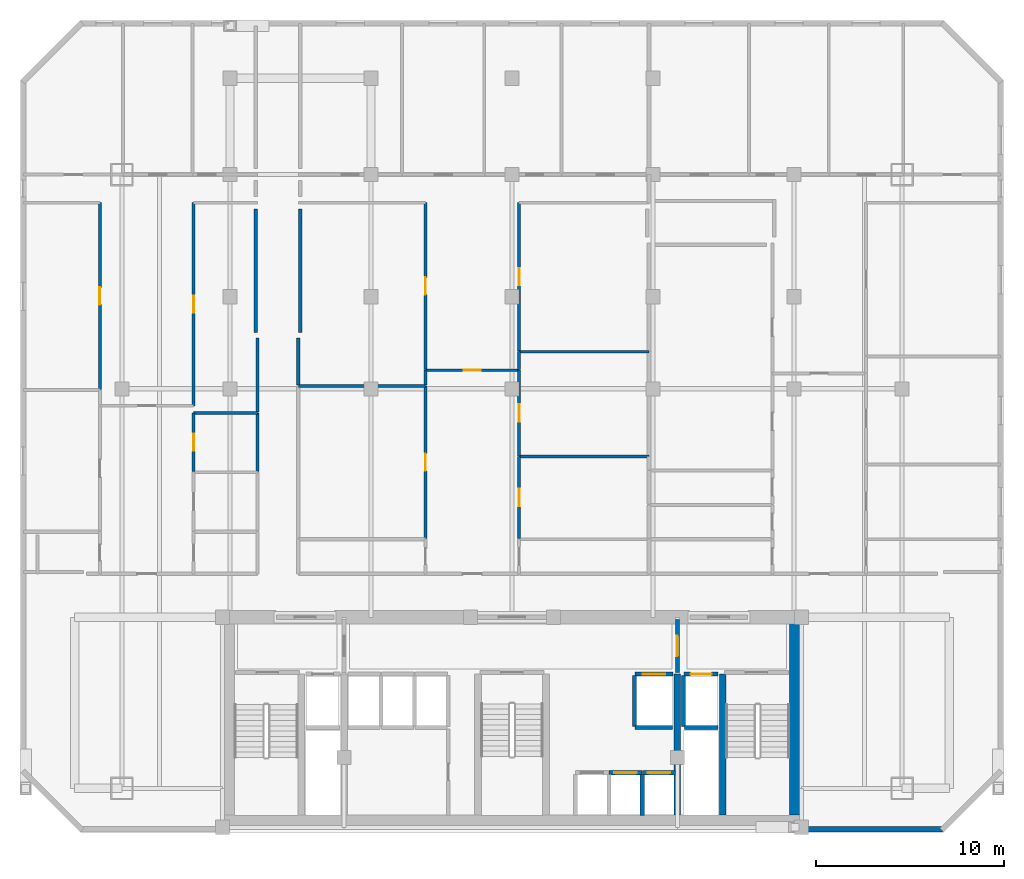
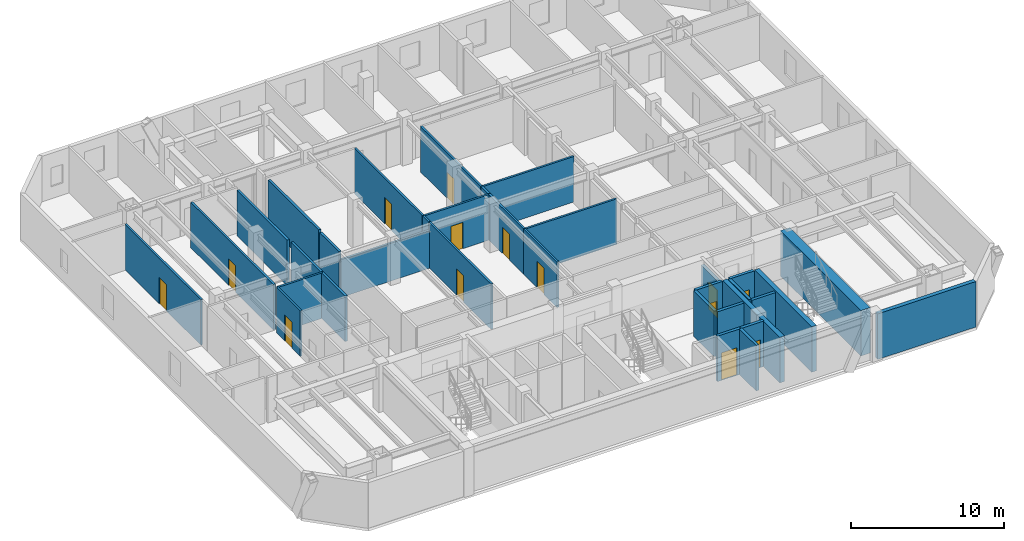
# One storey, part 4 of 9: 34 walls, 14 doors, 14 openings.
"""IFC4 building model written with IfcOpenShell, lengths in metres."""

import ifcopenshell
import ifcopenshell.guid

model = None  # the IFC model being written
_history = None  # IfcOwnerHistory: only IFC2X3 demands one
_inside = {}  # id of a spatial element -> (the spatial element, [elements in it])
_under = {}  # id of a project, library or spatial element -> (it, [spatial elements below it])
_declared = {}  # id of a project -> (the project, [libraries it declares])
_typed = {}  # id of a type object -> (the type object, [elements of that type])
_made_of = {}  # id of a material, layer set ... -> (it, [elements and type objects made of it])


def new_model(schema):
    """Start an empty IFC model of exactly this schema.

    Asked for "IFC4X3", IfcOpenShell would pick the latest addendum, in which some entities
    have other attributes; the version numbers below select the first issue.
    IFC2X3 requires an IfcOwnerHistory on every rooted entity: one is made here for all.
    """
    global model, _history
    if schema == "IFC4X3":
        model = ifcopenshell.file(schema_version=(4, 3, 0, 0))
    else:
        model = ifcopenshell.file(schema=schema)
    _inside.clear()
    _under.clear()
    _declared.clear()
    _typed.clear()
    _made_of.clear()
    _history = None
    if model.schema == "IFC2X3":
        org = make("IfcOrganization", Name="unknown")
        user = make(
            "IfcPersonAndOrganization",
            ThePerson=make("IfcPerson", FamilyName="unknown"),
            TheOrganization=org,
        )
        app = make(
            "IfcApplication",
            ApplicationDeveloper=org,
            Version="unknown",
            ApplicationFullName="unknown",
            ApplicationIdentifier="unknown",
        )
        _history = make(
            "IfcOwnerHistory",
            OwningUser=user,
            OwningApplication=app,
            ChangeAction="ADDED",
            CreationDate=0,
        )
    return model


def make(cls, **values):
    """One entity of the class cls with the attributes given. An attribute that is None is left unset."""
    return model.create_entity(
        cls, **{name: value for name, value in values.items() if value is not None}
    )


def rooted(cls, **values):
    """An entity with a GlobalId (a new one), such as an element, a storey or a relation."""
    return make(cls, GlobalId=ifcopenshell.guid.new(), OwnerHistory=_history, **values)


def si_unit(unit_type, name, prefix=None):
    """IfcSIUnit, for example si_unit("LENGTHUNIT", "METRE", prefix="MILLI")."""
    return make("IfcSIUnit", UnitType=unit_type, Prefix=prefix, Name=name)


def assignment(units):
    """IfcUnitAssignment: the units of a project."""
    return None if units is None else make("IfcUnitAssignment", Units=units)


def point(xyz):
    """IfcCartesianPoint."""
    return None if xyz is None else make("IfcCartesianPoint", Coordinates=xyz)


def direction(xyz):
    """IfcDirection."""
    return None if xyz is None else make("IfcDirection", DirectionRatios=xyz)


def frame(location, z_axis=None, x_axis=None):
    """IfcAxis2Placement3D, a coordinate frame: its origin and axes. An axis left out is left unset."""
    return make(
        "IfcAxis2Placement3D",
        Location=point(location),
        Axis=direction(z_axis),
        RefDirection=direction(x_axis),
    )


def frame_2d(location, x_axis=None):
    """IfcAxis2Placement2D, a coordinate frame in the plane: its origin and x axis."""
    return make(
        "IfcAxis2Placement2D", Location=point(location), RefDirection=direction(x_axis)
    )


def origin():
    """The frame at (0, 0, 0) with its axes left unset."""
    return frame((0.0, 0.0, 0.0))


def place(relative_to, where):
    """IfcLocalPlacement: puts the frame where relative to a parent placement (None: the world)."""
    return make(
        "IfcLocalPlacement", PlacementRelTo=relative_to, RelativePlacement=where
    )


def context(
    kind, dimensions, precision=None, world=None, true_north=None, identifier=None
):
    """IfcGeometricRepresentationContext, for example the 3D "Model" context."""
    return make(
        "IfcGeometricRepresentationContext",
        ContextIdentifier=identifier,
        ContextType=kind,
        CoordinateSpaceDimension=dimensions,
        Precision=precision,
        WorldCoordinateSystem=world,
        TrueNorth=true_north,
    )


def subcontext(parent, identifier, kind, view, scale=None):
    """IfcGeometricRepresentationSubContext, for example "Body" below "Model"."""
    return make(
        "IfcGeometricRepresentationSubContext",
        ContextIdentifier=identifier,
        ContextType=kind,
        ParentContext=parent,
        TargetScale=scale,
        TargetView=view,
    )


def project(units=None, contexts=None):
    """IfcProject with its units and contexts."""
    return rooted(
        "IfcProject",
        Name="project",
        RepresentationContexts=contexts,
        UnitsInContext=assignment(units),
    )


def spatial(cls, under=None, at=None, **own):
    """A site, building, storey or space (cls), placed at a placement, below another one or the project."""
    s = rooted(cls, ObjectPlacement=at, **own)
    if under is not None:
        _under.setdefault(under.id(), (under, []))[1].append(s)
    return s


def profile(cls, at=None, kind="AREA", **sizes):
    """A parametric profile (cls). Its sizes go by their IFC names, for example OverallWidth=200.0."""
    return make(cls, ProfileType=kind, Position=at, **sizes)


def rectangle(**sizes):
    """IfcRectangleProfileDef."""
    return profile("IfcRectangleProfileDef", **sizes)


def extrude(swept, where, along, depth):
    """IfcExtrudedAreaSolid: the profile swept, set in the frame where, extruded along a direction by depth."""
    return make(
        "IfcExtrudedAreaSolid",
        SweptArea=swept,
        Position=where,
        ExtrudedDirection=direction(along),
        Depth=depth,
    )


def shape(context_of_items, identifier, shape_type, items):
    """IfcShapeRepresentation: the items that make up one representation, for example the "Body"."""
    return make(
        "IfcShapeRepresentation",
        ContextOfItems=context_of_items,
        RepresentationIdentifier=identifier,
        RepresentationType=shape_type,
        Items=items,
    )


def material(Name=None, Category=None):
    """IfcMaterial."""
    return make("IfcMaterial", Name=Name, Category=Category)


def layer(
    of_material, thickness, ventilated=None, Name=None, Category=None, Priority=None
):
    """IfcMaterialLayer: one layer of a wall or slab, of a material (None: an air gap)."""
    return make(
        "IfcMaterialLayer",
        Material=of_material,
        LayerThickness=thickness,
        IsVentilated=ventilated,
        Name=Name,
        Category=Category,
        Priority=Priority,
    )


def layer_set(layers, Name=None):
    """IfcMaterialLayerSet."""
    return make("IfcMaterialLayerSet", MaterialLayers=layers, LayerSetName=Name)


def made_of(thing, what):
    """Note that an element or type object is made of a material, layer set ...; save() writes the relation."""
    if what is not None:
        _made_of.setdefault(what.id(), (what, []))[1].append(thing)
    return thing


def type_object(cls, material=None, **own):
    """A type object (cls), such as IfcWallType, which elements share."""
    return made_of(rooted(cls, **own), material)


def element(
    cls,
    number,
    at=None,
    inside=None,
    cuts=None,
    type_object=None,
    material=None,
    context=None,
    identifier="Body",
    shape_type=None,
    held_by="IfcProductDefinitionShape",
    body=None,
    shapes=None,
    **own,
):
    """One element of the class cls, such as IfcWall. Its Tag is "e" and its number.

    at: its placement. inside: the storey or other place that contains it. cuts: it is an
    opening in that element (IfcRelVoidsElement). A single representation is given by context,
    identifier, shape_type and body (its items); several are given by shapes. held_by: the class
    of the entity that holds the representations. save() writes the other relations.
    """
    e = rooted(cls, Tag="e%d" % number, ObjectPlacement=at, **own)
    if body is not None:
        shapes = [shape(context, identifier, shape_type, body)]
    if shapes is not None:
        e.Representation = make(held_by, Representations=shapes)
    if inside is not None:
        _inside.setdefault(inside.id(), (inside, []))[1].append(e)
    if cuts is not None:
        rooted(
            "IfcRelVoidsElement", RelatingBuildingElement=cuts, RelatedOpeningElement=e
        )
    if type_object is not None:
        _typed.setdefault(type_object.id(), (type_object, []))[1].append(e)
    return made_of(e, material)


def fill(opening, filler):
    """IfcRelFillsElement: the door or window that sits in an opening."""
    return rooted(
        "IfcRelFillsElement",
        RelatingOpeningElement=opening,
        RelatedBuildingElement=filler,
    )


def aggregate(whole, parts):
    """IfcRelAggregates: a whole, such as a stair, and the parts it consists of."""
    return rooted("IfcRelAggregates", RelatingObject=whole, RelatedObjects=parts)


def save(model, path):
    """Write the relations noted so far, then the file.

    IfcRelAggregates (storeys below a building ...), IfcRelContainedInSpatialStructure (elements
    in a storey), IfcRelDefinesByType, IfcRelAssociatesMaterial and IfcRelDeclares: one each for
    every whole, place, type object, material and project.
    """
    for whole, parts in _under.values():
        aggregate(whole, parts)
    for where, things in _inside.values():
        rooted(
            "IfcRelContainedInSpatialStructure",
            RelatedElements=things,
            RelatingStructure=where,
        )
    for kind, things in _typed.values():
        rooted("IfcRelDefinesByType", RelatedObjects=things, RelatingType=kind)
    for what, things in _made_of.values():
        rooted("IfcRelAssociatesMaterial", RelatedObjects=things, RelatingMaterial=what)
    for by, libraries in _declared.values():
        rooted("IfcRelDeclares", RelatingContext=by, RelatedDefinitions=libraries)
    model.write(path)


model = new_model("IFC4")

# Units and contexts
model_context = context("Model", 3, precision=1e-05, world=origin(), true_north=direction((0.0, 1.0)))
body_context = subcontext(model_context, "Body", "Model", "MODEL_VIEW")
ifc_project = project(units=[si_unit("LENGTHUNIT", "METRE"), si_unit("AREAUNIT", "SQUARE_METRE"), si_unit("VOLUMEUNIT", "CUBIC_METRE"), si_unit("PLANEANGLEUNIT", "RADIAN"), si_unit("MASSUNIT", "GRAM", prefix="KILO")], contexts=[model_context])

# Site, building, storey
site_placement = place(None, origin())
site = spatial("IfcSite", under=ifc_project, at=site_placement, CompositionType="ELEMENT")
building_placement = place(site_placement, origin())
building = spatial("IfcBuilding", under=site, at=building_placement, Name="Ventersveld Concourse Tower", CompositionType="ELEMENT")
storey_placement = place(building_placement, frame((0.0, 0.0, 152.89990234375)))
storey = spatial("IfcBuildingStorey", under=building, at=storey_placement, Name="L37", CompositionType="ELEMENT", Elevation=152.89990234375)

# Walls
ifc_material_1 = material(Name="Concrete C60/75", Category="concrete")
ifc_layer_1 = layer(ifc_material_1, 0.35009765625)
ifc_layer_set_1 = layer_set([ifc_layer_1], Name="Concrete C60/75")
wall_type_1 = type_object("IfcWallType", Name="WL-CORE-350L", PredefinedType="SHEAR", material=ifc_layer_set_1)
for number, where, z_axis, x_axis, name in (
    (1, (37.550048828125, 0.919921875, 0.0), (0.0, 0.0, 1.0), (0.0, 1.0, 0.0), "L37 Core Internal Shear Web W-SVL-W"),
    (2, (39.9599609375, 0.919921875, 0.0), (0.0, 0.0, 1.0), (0.0, 1.0, 0.0), "L37 Core Internal Shear Web W-ST2-W"),
):
    element("IfcWall", number, at=place(storey_placement, frame(where, z_axis=z_axis, x_axis=x_axis)), inside=storey, type_object=wall_type_1, Name=name, PredefinedType="SHEAR", context=body_context, shape_type="SweptSolid", body=[
        extrude(rectangle(XDim=7.5, YDim=0.35009765625, at=frame_2d((3.75, 0.0))), origin(), (0.0, 0.0, 1.0), 3.630126953125),
    ])
ifc_layer_2 = layer(ifc_material_1, 0.699951171875)
ifc_layer_set_2 = layer_set([ifc_layer_2], Name="Concrete C60/75")
wall_type_2 = type_object("IfcWallType", Name="WL-CORE-700", PredefinedType="SHEAR", material=ifc_layer_set_2)
wall_1_placement = place(storey_placement, frame((43.85009765625, 0.919921875, 0.0), z_axis=(0.0, 0.0, 1.0), x_axis=(0.0, 1.0, 0.0)))
element("IfcWall", 3, at=wall_1_placement, inside=storey, type_object=wall_type_2, Name="L37 Rear Core East Shear Wall", PredefinedType="SHEAR", context=body_context, shape_type="SweptSolid", body=[
    extrude(rectangle(XDim=10.530029296875, YDim=0.699951171875, at=frame_2d((5.26513671875, 0.0))), origin(), (0.0, 0.0, 1.0), 3.630126953125),
])
ifc_material_2 = material(Name="Fire-rated autoclaved aerated masonry blockwork", Category="masonry")
ifc_layer_3 = layer(ifc_material_2, 0.179931640625)
ifc_layer_set_3 = layer_set([ifc_layer_3], Name="Fire-rated autoclaved aerated masonry blockwork")
wall_type_3 = type_object("IfcWallType", Name="WL-CORR-180", PredefinedType="PARTITIONING", material=ifc_layer_set_3)
wall_2_placement = place(storey_placement, frame((15.2099609375, 19.196044921875, 0.0), z_axis=(0.0, 0.0, 1.0), x_axis=(0.0, 1.0, 0.0)))
element("IfcWall", 4, at=wall_2_placement, inside=storey, type_object=wall_type_3, Name="L37 Interior Partition SP-L37-COR-SP-L37-37NW-PANR1", PredefinedType="PARTITIONING", context=body_context, shape_type="SweptSolid", body=[
    extrude(rectangle(XDim=3.13134765625, YDim=0.179931640625, at=frame_2d((1.565673828125, 0.0))), origin(), (0.0, 0.0, 1.0), 3.630126953125),
])
wall_3_placement = place(storey_placement, frame((15.2099609375, 22.357421875, 0.0), z_axis=(0.0, 0.0, 1.0), x_axis=(0.0, 1.0, 0.0)))
element("IfcWall", 5, at=wall_3_placement, inside=storey, type_object=wall_type_3, Name="L37 Interior Partition SP-L37-COR-SP-L37-37NW-DENR", PredefinedType="PARTITIONING", context=body_context, shape_type="SweptSolid", body=[
    extrude(rectangle(XDim=3.9375, YDim=0.179931640625, at=frame_2d((1.96875, 0.0))), origin(), (0.0, 0.0, 1.0), 3.630126953125),
])
wall_4_placement = place(storey_placement, frame((17.389892578125, 23.792724609375, 0.0), z_axis=(0.0, 0.0, 1.0), x_axis=(0.0, 1.0, 0.0)))
element("IfcWall", 6, at=wall_4_placement, inside=storey, type_object=wall_type_3, Name="L37 Interior Partition SP-L37-COR-SP-L37-37N1-SEML2", PredefinedType="PARTITIONING", context=body_context, shape_type="SweptSolid", body=[
    extrude(rectangle(XDim=2.502197265625, YDim=0.179931640625, at=frame_2d((1.2509765625, 0.0))), origin(), (0.0, 0.0, 1.0), 3.630126953125),
])
for number, where, z_axis, x_axis, name in (
    (7, (15.1201171875, 33.175048828125, 0.0), (0.0, 0.0, 1.0), (0.0, -1.0, 0.0), "L37 Room Enclosure Wall SP-L37-37NW-DENR"),
    (8, (17.47998046875, 26.60986328125, 0.0), (0.0, 0.0, 1.0), (0.0, 1.0, 0.0), "L37 Room Enclosure Wall SP-L37-37N1-SEML2"),
):
    element("IfcWall", number, at=place(storey_placement, frame(where, z_axis=z_axis, x_axis=x_axis)), inside=storey, type_object=wall_type_3, Name=name, PredefinedType="PARTITIONING", context=body_context, shape_type="SweptSolid", body=[
        extrude(rectangle(XDim=6.565185546875, YDim=0.179931640625, at=frame_2d((3.28271484375, 0.0))), origin(), (0.0, 0.0, 1.0), 3.630126953125),
    ])
ifc_layer_4 = layer(ifc_material_2, 0.219970703125)
ifc_layer_set_4 = layer_set([ifc_layer_4], Name="Fire-rated autoclaved aerated masonry blockwork")
wall_type_4 = type_object("IfcWallType", Name="WL-HOIST-220", PredefinedType="SOLIDWALL", material=ifc_layer_set_4)
wall_5_placement = place(storey_placement, frame((37.919921875, 5.590087890625, 0.0), z_axis=(0.0, 0.0, 1.0), x_axis=(1.0, 0.0, 0.0)))
element("IfcWall", 9, at=wall_5_placement, inside=storey, type_object=wall_type_4, Name="L37 Lift Hoistway Back Wall FFL-02", PredefinedType="SOLIDWALL", context=body_context, shape_type="SweptSolid", body=[
    extrude(rectangle(XDim=1.780029296875, YDim=0.219970703125, at=frame_2d((0.89013671875, 0.0))), origin(), (0.0, 0.0, 1.0), 3.630126953125),
])
wall_6_placement = place(storey_placement, frame((37.8798828125, 5.64990234375, 0.0), z_axis=(0.0, 0.0, 1.0), x_axis=(0.0, 1.0, 0.0)))
element("IfcWall", 10, at=wall_6_placement, inside=storey, type_object=wall_type_4, Name="L37 Lift Hoistway Side Wall FFL-02W", PredefinedType="SOLIDWALL", context=body_context, shape_type="SweptSolid", body=[
    extrude(rectangle(XDim=2.7001953125, YDim=0.219970703125, at=frame_2d((1.35009765625, 0.0))), origin(), (0.0, 0.0, 1.0), 3.630126953125),
])

# Wall, opening, door
wall_7_placement = place(storey_placement, frame((37.89990234375, 8.429931640625, 0.0), z_axis=(0.0, 0.0, 1.0), x_axis=(1.0, 0.0, 0.0)))
wall_7 = element("IfcWall", 11, at=wall_7_placement, inside=storey, type_object=wall_type_4, Name="L37 Lift Hoistway Front Wall FFL-02", PredefinedType="SOLIDWALL", context=body_context, shape_type="SweptSolid", body=[
    extrude(rectangle(XDim=1.820068359375, YDim=0.219970703125, at=frame_2d((0.91015625, 0.0))), origin(), (0.0, 0.0, 1.0), 3.630126953125),
])
opening_1_placement = place(wall_7_placement, frame((0.35009765625, 0.0, 0.0)))
opening_1 = element("IfcOpeningElement", 12, at=opening_1_placement, cuts=wall_7, Name="Opening LD1", PredefinedType="OPENING", context=body_context, shape_type="SweptSolid", body=[
    extrude(rectangle(XDim=1.1201171875, YDim=2.25, at=frame_2d((0.56005859375, 1.125))), frame((0.0, 0.1201171875, 0.0), z_axis=(0.0, -1.0, 0.0), x_axis=(1.0, 0.0, 0.0)), (0.0, 0.0, 1.0), 0.239990234375),
])
ifc_material_3 = material(Name="Brushed stainless steel 316", Category="steel")
door_type_1 = type_object("IfcDoorType", Name="LD-FF-112", OperationType="SLIDING_TO_LEFT", PredefinedType="DOOR", material=ifc_material_3)
door_1_placement = place(opening_1_placement, origin())
door_1 = element("IfcDoor", 13, at=door_1_placement, inside=storey, type_object=door_type_1, Name="L37 Lift landing door FFL-02 (LD-L37-FFL-02)", OperationType="SLIDING_TO_RIGHT", OverallHeight=2.25, OverallWidth=1.1201171875, PredefinedType="DOOR", context=body_context, shape_type="SweptSolid", body=[
    extrude(rectangle(XDim=1.1201171875, YDim=2.25, at=frame_2d((0.56005859375, 1.125))), frame((0.0, 0.02490234375, 0.0), z_axis=(0.0, -1.0, 0.0), x_axis=(1.0, 0.0, 0.0)), (0.0, 0.0, 1.0), 0.050048828125),
])
fill(opening_1, door_1)

# Walls
wall_8_placement = place(storey_placement, frame((35.300048828125, 5.590087890625, 0.0), z_axis=(0.0, 0.0, 1.0), x_axis=(1.0, 0.0, 0.0)))
element("IfcWall", 14, at=wall_8_placement, inside=storey, type_object=wall_type_4, Name="L37 Lift Hoistway Back Wall SVL-01", PredefinedType="SOLIDWALL", context=body_context, shape_type="SweptSolid", body=[
    extrude(rectangle(XDim=2.0, YDim=0.219970703125, at=frame_2d((1.0, 0.0))), origin(), (0.0, 0.0, 1.0), 3.630126953125),
])
wall_9_placement = place(storey_placement, frame((35.260009765625, 5.64990234375, 0.0), z_axis=(0.0, 0.0, 1.0), x_axis=(0.0, 1.0, 0.0)))
element("IfcWall", 15, at=wall_9_placement, inside=storey, type_object=wall_type_4, Name="L37 Lift Hoistway Side Wall SVL-01W", PredefinedType="SOLIDWALL", context=body_context, shape_type="SweptSolid", body=[
    extrude(rectangle(XDim=2.7001953125, YDim=0.219970703125, at=frame_2d((1.35009765625, 0.0))), origin(), (0.0, 0.0, 1.0), 3.630126953125),
])

# Wall, opening, door
wall_10_placement = place(storey_placement, frame((35.280029296875, 8.429931640625, 0.0), z_axis=(0.0, 0.0, 1.0), x_axis=(1.0, 0.0, 0.0)))
wall_10 = element("IfcWall", 16, at=wall_10_placement, inside=storey, type_object=wall_type_4, Name="L37 Lift Hoistway Front Wall SVL-01", PredefinedType="SOLIDWALL", context=body_context, shape_type="SweptSolid", body=[
    extrude(rectangle(XDim=2.0400390625, YDim=0.219970703125, at=frame_2d((1.02001953125, 0.0))), origin(), (0.0, 0.0, 1.0), 3.630126953125),
])
opening_2_placement = place(wall_10_placement, frame((0.429931640625, 0.0, 0.0)))
opening_2 = element("IfcOpeningElement", 17, at=opening_2_placement, cuts=wall_10, Name="Opening LD2", PredefinedType="OPENING", context=body_context, shape_type="SweptSolid", body=[
    extrude(rectangle(XDim=1.179931640625, YDim=2.199951171875, at=frame_2d((0.58984375, 1.10009765625))), frame((0.0, 0.1201171875, 0.0), z_axis=(0.0, -1.0, 0.0), x_axis=(1.0, 0.0, 0.0)), (0.0, 0.0, 1.0), 0.239990234375),
])
door_type_2 = type_object("IfcDoorType", Name="LD-PAX-118", OperationType="SLIDING_TO_LEFT", PredefinedType="DOOR", material=ifc_material_3)
door_2_placement = place(opening_2_placement, origin())
door_2 = element("IfcDoor", 18, at=door_2_placement, inside=storey, type_object=door_type_2, Name="L37 Lift landing door SVL-01 (LD-L37-SVL-01)", OperationType="SLIDING_TO_LEFT", OverallHeight=2.199951171875, OverallWidth=1.179931640625, PredefinedType="DOOR", context=body_context, shape_type="SweptSolid", body=[
    extrude(rectangle(XDim=1.179931640625, YDim=2.199951171875, at=frame_2d((0.58984375, 1.10009765625))), frame((0.0, 0.02490234375, 0.0), z_axis=(0.0, -1.0, 0.0), x_axis=(1.0, 0.0, 0.0)), (0.0, 0.0, 1.0), 0.050048828125),
])
fill(opening_2, door_2)

# Wall
wall_11_placement = place(storey_placement, frame((35.679931640625, 0.89990234375, 0.0), z_axis=(0.0, 0.0, 1.0), x_axis=(0.0, 1.0, 0.0)))
element("IfcWall", 19, at=wall_11_placement, inside=storey, type_object=wall_type_4, Name="L37 Lift Hoistway Side Wall PM-02E", PredefinedType="SOLIDWALL", context=body_context, shape_type="SweptSolid", body=[
    extrude(rectangle(XDim=2.2001953125, YDim=0.219970703125, at=frame_2d((1.10009765625, 0.0))), origin(), (0.0, 0.0, 1.0), 3.630126953125),
])

# Wall, opening, door
wall_12_placement = place(storey_placement, frame((33.919921875, 3.179931640625, 0.0), z_axis=(0.0, 0.0, 1.0), x_axis=(1.0, 0.0, 0.0)))
wall_12 = element("IfcWall", 20, at=wall_12_placement, inside=storey, type_object=wall_type_4, Name="L37 Lift Hoistway Front Wall PM-02", PredefinedType="SOLIDWALL", context=body_context, shape_type="SweptSolid", body=[
    extrude(rectangle(XDim=1.739990234375, YDim=0.219970703125, at=frame_2d((0.8701171875, 0.0))), origin(), (0.0, 0.0, 1.0), 3.630126953125),
])
opening_3_placement = place(wall_12_placement, frame((0.280029296875, 0.0, 0.0)))
opening_3 = element("IfcOpeningElement", 21, at=opening_3_placement, cuts=wall_12, Name="Opening LD2", PredefinedType="OPENING", context=body_context, shape_type="SweptSolid", body=[
    extrude(rectangle(XDim=1.179931640625, YDim=2.199951171875, at=frame_2d((0.58984375, 1.10009765625))), frame((0.0, 0.1201171875, 0.0), z_axis=(0.0, -1.0, 0.0), x_axis=(1.0, 0.0, 0.0)), (0.0, 0.0, 1.0), 0.239990234375),
])
door_3_placement = place(opening_3_placement, origin())
door_3 = element("IfcDoor", 22, at=door_3_placement, inside=storey, type_object=door_type_2, Name="L37 Lift landing door PM-02 (LD-L37-PM-02)", OperationType="SLIDING_TO_LEFT", OverallHeight=2.199951171875, OverallWidth=1.179931640625, PredefinedType="DOOR", context=body_context, shape_type="SweptSolid", body=[
    extrude(rectangle(XDim=1.179931640625, YDim=2.199951171875, at=frame_2d((0.58984375, 1.10009765625))), frame((0.0, 0.02490234375, 0.0), z_axis=(0.0, -1.0, 0.0), x_axis=(1.0, 0.0, 0.0)), (0.0, 0.0, 1.0), 0.050048828125),
])
fill(opening_3, door_3)

wall_13_placement = place(storey_placement, frame((35.699951171875, 3.179931640625, 0.0), z_axis=(0.0, 0.0, 1.0), x_axis=(1.0, 0.0, 0.0)))
wall_13 = element("IfcWall", 23, at=wall_13_placement, inside=storey, type_object=wall_type_4, Name="L37 Lift Hoistway Front Wall PM-03", PredefinedType="SOLIDWALL", context=body_context, shape_type="SweptSolid", body=[
    extrude(rectangle(XDim=1.739990234375, YDim=0.219970703125, at=frame_2d((0.8701171875, 0.0))), origin(), (0.0, 0.0, 1.0), 3.630126953125),
])
opening_4_placement = place(wall_13_placement, frame((0.280029296875, 0.0, 0.0)))
opening_4 = element("IfcOpeningElement", 24, at=opening_4_placement, cuts=wall_13, Name="Opening LD2", PredefinedType="OPENING", context=body_context, shape_type="SweptSolid", body=[
    extrude(rectangle(XDim=1.179931640625, YDim=2.199951171875, at=frame_2d((0.58984375, 1.10009765625))), frame((0.0, 0.1201171875, 0.0), z_axis=(0.0, -1.0, 0.0), x_axis=(1.0, 0.0, 0.0)), (0.0, 0.0, 1.0), 0.239990234375),
])
door_4_placement = place(opening_4_placement, origin())
door_4 = element("IfcDoor", 25, at=door_4_placement, inside=storey, type_object=door_type_2, Name="L37 Lift landing door PM-03 (LD-L37-PM-03)", OperationType="SLIDING_TO_RIGHT", OverallHeight=2.199951171875, OverallWidth=1.179931640625, PredefinedType="DOOR", context=body_context, shape_type="SweptSolid", body=[
    extrude(rectangle(XDim=1.179931640625, YDim=2.199951171875, at=frame_2d((0.58984375, 1.10009765625))), frame((0.0, 0.02490234375, 0.0), z_axis=(0.0, -1.0, 0.0), x_axis=(1.0, 0.0, 0.0)), (0.0, 0.0, 1.0), 0.050048828125),
])
fill(opening_4, door_4)

wall_14_placement = place(storey_placement, frame((37.550048828125, 8.52001953125, 0.0), z_axis=(0.0, 0.0, 1.0), x_axis=(0.0, 1.0, 0.0)))
wall_14 = element("IfcWall", 26, at=wall_14_placement, inside=storey, type_object=wall_type_4, Name="L37 Firefighting Lobby Smoke-Stop Wall FFLE-SEP", PredefinedType="SOLIDWALL", context=body_context, shape_type="SweptSolid", body=[
    extrude(rectangle(XDim=2.800048828125, YDim=0.219970703125, at=frame_2d((1.39990234375, 0.0))), origin(), (0.0, 0.0, 1.0), 3.085693359375),
])
opening_5_placement = place(wall_14_placement, frame((0.85009765625, 0.0, 0.0)))
opening_5 = element("IfcOpeningElement", 27, at=opening_5_placement, cuts=wall_14, Name="Opening FD2", PredefinedType="OPENING", context=body_context, shape_type="SweptSolid", body=[
    extrude(rectangle(XDim=1.10009765625, YDim=2.199951171875, at=frame_2d((0.550048828125, 1.10009765625))), frame((0.0, 0.1201171875, 0.0), z_axis=(0.0, -1.0, 0.0), x_axis=(1.0, 0.0, 0.0)), (0.0, 0.0, 1.0), 0.239990234375),
])
ifc_material_4 = material(Name="Galvanised painted steel", Category="steel")
door_type_3 = type_object("IfcDoorType", Name="DR-FFL-110", OperationType="NOTDEFINED", PredefinedType="DOOR", material=ifc_material_4)
door_5_placement = place(opening_5_placement, origin())
door_5 = element("IfcDoor", 28, at=door_5_placement, inside=storey, type_object=door_type_3, Name="L37 Firefighting Lobby Door FFLE-SEP (FD-L37-1805)", OperationType="SINGLE_SWING_RIGHT", OverallHeight=2.199951171875, OverallWidth=1.10009765625, PredefinedType="DOOR", context=body_context, shape_type="SweptSolid", body=[
    extrude(rectangle(XDim=1.10009765625, YDim=2.199951171875, at=frame_2d((0.550048828125, 1.10009765625))), frame((0.0, 0.02490234375, 0.0), z_axis=(0.0, -1.0, 0.0), x_axis=(1.0, 0.0, 0.0)), (0.0, 0.0, 1.0), 0.050048828125),
])
fill(opening_5, door_5)

ifc_material_5 = material(Name="Autoclaved aerated masonry blockwork", Category="masonry")
ifc_layer_5 = layer(ifc_material_5, 0.14990234375)
ifc_layer_set_5 = layer_set([ifc_layer_5], Name="Autoclaved aerated masonry blockwork")
wall_type_5 = type_object("IfcWallType", Name="WL-INT-150", PredefinedType="PARTITIONING", material=ifc_layer_set_5)
wall_15_placement = place(storey_placement, frame((11.81005859375, 19.196044921875, 0.0), z_axis=(0.0, 0.0, 1.0), x_axis=(0.0, 1.0, 0.0)))
wall_15 = element("IfcWall", 29, at=wall_15_placement, inside=storey, type_object=wall_type_5, Name="L37 Interior Partition SP-L37-37NW-FOY-SP-L37-37NW-PANR1", PredefinedType="PARTITIONING", context=body_context, shape_type="SweptSolid", body=[
    extrude(rectangle(XDim=3.13134765625, YDim=0.14990234375, at=frame_2d((1.565673828125, 0.0))), origin(), (0.0, 0.0, 1.0), 3.630126953125),
])
opening_6_placement = place(wall_15_placement, frame((1.105712890625, 0.0, 0.0)))
opening_6 = element("IfcOpeningElement", 30, at=opening_6_placement, cuts=wall_15, Name="Opening ID1", PredefinedType="OPENING", context=body_context, shape_type="SweptSolid", body=[
    extrude(rectangle(XDim=0.919921875, YDim=2.10009765625, at=frame_2d((0.4599609375, 1.050048828125))), frame((0.0, 0.0849609375, 0.0), z_axis=(0.0, -1.0, 0.0), x_axis=(1.0, 0.0, 0.0)), (0.0, 0.0, 1.0), 0.169921875),
])
ifc_material_6 = material(Name="Solid-core hardwood veneer timber", Category="wood")
door_type_4 = type_object("IfcDoorType", Name="DR-ROOM-092", OperationType="NOTDEFINED", PredefinedType="DOOR", material=ifc_material_6)
door_6_placement = place(opening_6_placement, origin())
door_6 = element("IfcDoor", 31, at=door_6_placement, inside=storey, type_object=door_type_4, Name="L37 Interior Door SP-L37-37NW-FOY to SP-L37-37NW-PANR1 (D-L37-1818)", OperationType="SINGLE_SWING_RIGHT", OverallHeight=2.10009765625, OverallWidth=0.919921875, PredefinedType="DOOR", context=body_context, shape_type="SweptSolid", body=[
    extrude(rectangle(XDim=0.919921875, YDim=2.10009765625, at=frame_2d((0.4599609375, 1.050048828125))), frame((0.0, 0.02490234375, 0.0), z_axis=(0.0, -1.0, 0.0), x_axis=(1.0, 0.0, 0.0)), (0.0, 0.0, 1.0), 0.050048828125),
])
fill(opening_6, door_6)

wall_16_placement = place(storey_placement, frame((6.830078125, 23.57421875, 0.0), z_axis=(0.0, 0.0, 1.0), x_axis=(0.0, 1.0, 0.0)))
wall_16 = element("IfcWall", 32, at=wall_16_placement, inside=storey, type_object=wall_type_5, Name="L37 Interior Partition SP-L37-37NW-LIV-SP-L37-37NW-SEML2", PredefinedType="PARTITIONING", context=body_context, shape_type="SweptSolid", body=[
    extrude(rectangle(XDim=9.9306640625, YDim=0.14990234375, at=frame_2d((4.96533203125, 0.0))), origin(), (0.0, 0.0, 1.0), 3.630126953125),
])
opening_7_placement = place(wall_16_placement, frame((4.50537109375, 0.0, 0.0)))
opening_7 = element("IfcOpeningElement", 33, at=opening_7_placement, cuts=wall_16, Name="Opening ID1", PredefinedType="OPENING", context=body_context, shape_type="SweptSolid", body=[
    extrude(rectangle(XDim=0.919921875, YDim=2.10009765625, at=frame_2d((0.4599609375, 1.050048828125))), frame((0.0, 0.0849609375, 0.0), z_axis=(0.0, -1.0, 0.0), x_axis=(1.0, 0.0, 0.0)), (0.0, 0.0, 1.0), 0.169921875),
])
door_7_placement = place(opening_7_placement, origin())
door_7 = element("IfcDoor", 34, at=door_7_placement, inside=storey, type_object=door_type_4, Name="L37 Interior Door SP-L37-37NW-LIV to SP-L37-37NW-SEML2 (D-L37-1819)", OperationType="SINGLE_SWING_LEFT", OverallHeight=2.10009765625, OverallWidth=0.919921875, PredefinedType="DOOR", context=body_context, shape_type="SweptSolid", body=[
    extrude(rectangle(XDim=0.919921875, YDim=2.10009765625, at=frame_2d((0.4599609375, 1.050048828125))), frame((0.0, 0.02490234375, 0.0), z_axis=(0.0, -1.0, 0.0), x_axis=(1.0, 0.0, 0.0)), (0.0, 0.0, 1.0), 0.050048828125),
])
fill(opening_7, door_7)

wall_17_placement = place(storey_placement, frame((11.81005859375, 22.6982421875, 0.0), z_axis=(0.0, 0.0, 1.0), x_axis=(0.0, 1.0, 0.0)))
wall_17 = element("IfcWall", 35, at=wall_17_placement, inside=storey, type_object=wall_type_5, Name="L37 Interior Partition SP-L37-37NW-LIV-SP-L37-37NW-DENR", PredefinedType="PARTITIONING", context=body_context, shape_type="SweptSolid", body=[
    extrude(rectangle(XDim=10.806640625, YDim=0.14990234375, at=frame_2d((5.4033203125, 0.0))), origin(), (0.0, 0.0, 1.0), 3.630126953125),
])
opening_8_placement = place(wall_17_placement, frame((4.943359375, 0.0, 0.0)))
opening_8 = element("IfcOpeningElement", 36, at=opening_8_placement, cuts=wall_17, Name="Opening ID1", PredefinedType="OPENING", context=body_context, shape_type="SweptSolid", body=[
    extrude(rectangle(XDim=0.919921875, YDim=2.10009765625, at=frame_2d((0.4599609375, 1.050048828125))), frame((0.0, 0.0849609375, 0.0), z_axis=(0.0, -1.0, 0.0), x_axis=(1.0, 0.0, 0.0)), (0.0, 0.0, 1.0), 0.169921875),
])
door_8_placement = place(opening_8_placement, origin())
door_8 = element("IfcDoor", 37, at=door_8_placement, inside=storey, type_object=door_type_4, Name="L37 Interior Door SP-L37-37NW-LIV to SP-L37-37NW-DENR (D-L37-1820)", OperationType="SINGLE_SWING_RIGHT", OverallHeight=2.10009765625, OverallWidth=0.919921875, PredefinedType="DOOR", context=body_context, shape_type="SweptSolid", body=[
    extrude(rectangle(XDim=0.919921875, YDim=2.10009765625, at=frame_2d((0.4599609375, 1.050048828125))), frame((0.0, 0.02490234375, 0.0), z_axis=(0.0, -1.0, 0.0), x_axis=(1.0, 0.0, 0.0)), (0.0, 0.0, 1.0), 0.050048828125),
])
fill(opening_8, door_8)

# Wall
wall_18_placement = place(storey_placement, frame((11.804931640625, 22.322509765625, 0.0), z_axis=(0.0, 0.0, 1.0), x_axis=(1.0, 0.0, 0.0)))
element("IfcWall", 38, at=wall_18_placement, inside=storey, type_object=wall_type_5, Name="L37 Interior Partition SP-L37-37NW-PANR1-SP-L37-37NW-DENR", PredefinedType="PARTITIONING", context=body_context, shape_type="SweptSolid", body=[
    extrude(rectangle(XDim=3.41015625, YDim=0.14990234375, at=frame_2d((1.705078125, 0.0))), origin(), (0.0, 0.0, 1.0), 3.630126953125),
])

# Wall, opening, door
wall_19_placement = place(storey_placement, frame((24.144287109375, 24.59326171875, 0.0), z_axis=(0.0, 0.0, 1.0), x_axis=(1.0, 0.0, 0.0)))
wall_19 = element("IfcWall", 39, at=wall_19_placement, inside=storey, type_object=wall_type_5, Name="L37 Interior Partition SP-L37-37N1-FOY-SP-L37-37N1-LIV", PredefinedType="PARTITIONING", context=body_context, shape_type="SweptSolid", body=[
    extrude(rectangle(XDim=4.989990234375, YDim=0.14990234375, at=frame_2d((2.4951171875, 0.0))), origin(), (0.0, 0.0, 1.0), 3.630126953125),
])
opening_9_placement = place(wall_19_placement, frame((2.034912109375, 0.0, 0.0)))
opening_9 = element("IfcOpeningElement", 40, at=opening_9_placement, cuts=wall_19, Name="Opening ID1", PredefinedType="OPENING", context=body_context, shape_type="SweptSolid", body=[
    extrude(rectangle(XDim=0.919921875, YDim=2.10009765625, at=frame_2d((0.4599609375, 1.050048828125))), frame((0.0, 0.0849609375, 0.0), z_axis=(0.0, -1.0, 0.0), x_axis=(1.0, 0.0, 0.0)), (0.0, 0.0, 1.0), 0.169921875),
])
door_9_placement = place(opening_9_placement, origin())
door_9 = element("IfcDoor", 41, at=door_9_placement, inside=storey, type_object=door_type_4, Name="L37 Interior Door SP-L37-37N1-FOY to SP-L37-37N1-LIV (D-L37-1824)", OperationType="SINGLE_SWING_RIGHT", OverallHeight=2.10009765625, OverallWidth=0.919921875, PredefinedType="DOOR", context=body_context, shape_type="SweptSolid", body=[
    extrude(rectangle(XDim=0.919921875, YDim=2.10009765625, at=frame_2d((0.4599609375, 1.050048828125))), frame((0.0, 0.02490234375, 0.0), z_axis=(0.0, -1.0, 0.0), x_axis=(1.0, 0.0, 0.0)), (0.0, 0.0, 1.0), 0.050048828125),
])
fill(opening_9, door_9)

wall_20_placement = place(storey_placement, frame((24.1494140625, 15.635009765625, 0.0), z_axis=(0.0, 0.0, 1.0), x_axis=(0.0, 1.0, 0.0)))
wall_20 = element("IfcWall", 42, at=wall_20_placement, inside=storey, type_object=wall_type_5, Name="L37 Interior Partition SP-L37-37N1-FOY-SP-L37-37N1-OFFL0", PredefinedType="PARTITIONING", context=body_context, shape_type="SweptSolid", body=[
    extrude(rectangle(XDim=8.127685546875, YDim=0.14990234375, at=frame_2d((4.06396484375, 0.0))), origin(), (0.0, 0.0, 1.0), 3.630126953125),
])
opening_10_placement = place(wall_20_placement, frame((3.60400390625, 0.0, 0.0)))
opening_10 = element("IfcOpeningElement", 43, at=opening_10_placement, cuts=wall_20, Name="Opening ID1", PredefinedType="OPENING", context=body_context, shape_type="SweptSolid", body=[
    extrude(rectangle(XDim=0.919921875, YDim=2.10009765625, at=frame_2d((0.4599609375, 1.050048828125))), frame((0.0, 0.0849609375, 0.0), z_axis=(0.0, -1.0, 0.0), x_axis=(1.0, 0.0, 0.0)), (0.0, 0.0, 1.0), 0.169921875),
])
door_10_placement = place(opening_10_placement, origin())
door_10 = element("IfcDoor", 44, at=door_10_placement, inside=storey, type_object=door_type_4, Name="L37 Interior Door SP-L37-37N1-FOY to SP-L37-37N1-OFFL0 (D-L37-1826)", OperationType="SINGLE_SWING_RIGHT", OverallHeight=2.10009765625, OverallWidth=0.919921875, PredefinedType="DOOR", context=body_context, shape_type="SweptSolid", body=[
    extrude(rectangle(XDim=0.919921875, YDim=2.10009765625, at=frame_2d((0.4599609375, 1.050048828125))), frame((0.0, 0.02490234375, 0.0), z_axis=(0.0, -1.0, 0.0), x_axis=(1.0, 0.0, 0.0)), (0.0, 0.0, 1.0), 0.050048828125),
])
fill(opening_10, door_10)

# Wall
wall_21_placement = place(storey_placement, frame((24.1494140625, 23.792724609375, 0.0), z_axis=(0.0, 0.0, 1.0), x_axis=(0.0, 1.0, 0.0)))
element("IfcWall", 45, at=wall_21_placement, inside=storey, type_object=wall_type_5, Name="L37 Interior Partition SP-L37-37N1-FOY-SP-L37-37N1-SEML2", PredefinedType="PARTITIONING", context=body_context, shape_type="SweptSolid", body=[
    extrude(rectangle(XDim=0.805419921875, YDim=0.14990234375, at=frame_2d((0.40283203125, 0.0))), origin(), (0.0, 0.0, 1.0), 3.630126953125),
])

# Wall, opening, door
wall_22_placement = place(storey_placement, frame((29.12939453125, 15.635009765625, 0.0), z_axis=(0.0, 0.0, 1.0), x_axis=(0.0, 1.0, 0.0)))
wall_22 = element("IfcWall", 46, at=wall_22_placement, inside=storey, type_object=wall_type_5, Name="L37 Interior Partition SP-L37-37N1-FOY-SP-L37-37N1-MEDR1", PredefinedType="PARTITIONING", context=body_context, shape_type="SweptSolid", body=[
    extrude(rectangle(XDim=4.3662109375, YDim=0.14990234375, at=frame_2d((2.18310546875, 0.0))), origin(), (0.0, 0.0, 1.0), 3.630126953125),
])
opening_11_placement = place(wall_22_placement, frame((1.72314453125, 0.0, 0.0)))
opening_11 = element("IfcOpeningElement", 47, at=opening_11_placement, cuts=wall_22, Name="Opening ID1", PredefinedType="OPENING", context=body_context, shape_type="SweptSolid", body=[
    extrude(rectangle(XDim=0.919921875, YDim=2.10009765625, at=frame_2d((0.4599609375, 1.050048828125))), frame((0.0, 0.0849609375, 0.0), z_axis=(0.0, -1.0, 0.0), x_axis=(1.0, 0.0, 0.0)), (0.0, 0.0, 1.0), 0.169921875),
])
door_11_placement = place(opening_11_placement, origin())
door_11 = element("IfcDoor", 48, at=door_11_placement, inside=storey, type_object=door_type_4, Name="L37 Interior Door SP-L37-37N1-FOY to SP-L37-37N1-MEDR1 (D-L37-1828)", OperationType="SINGLE_SWING_RIGHT", OverallHeight=2.10009765625, OverallWidth=0.919921875, PredefinedType="DOOR", context=body_context, shape_type="SweptSolid", body=[
    extrude(rectangle(XDim=0.919921875, YDim=2.10009765625, at=frame_2d((0.4599609375, 1.050048828125))), frame((0.0, 0.02490234375, 0.0), z_axis=(0.0, -1.0, 0.0), x_axis=(1.0, 0.0, 0.0)), (0.0, 0.0, 1.0), 0.050048828125),
])
fill(opening_11, door_11)

wall_23_placement = place(storey_placement, frame((29.12939453125, 20.03125, 0.0), z_axis=(0.0, 0.0, 1.0), x_axis=(0.0, 1.0, 0.0)))
wall_23 = element("IfcWall", 49, at=wall_23_placement, inside=storey, type_object=wall_type_5, Name="L37 Interior Partition SP-L37-37N1-FOY-SP-L37-37N1-DENS", PredefinedType="PARTITIONING", context=body_context, shape_type="SweptSolid", body=[
    extrude(rectangle(XDim=4.56689453125, YDim=0.14990234375, at=frame_2d((2.283447265625, 0.0))), origin(), (0.0, 0.0, 1.0), 3.630126953125),
])
opening_12_placement = place(wall_23_placement, frame((1.823486328125, 0.0, 0.0)))
opening_12 = element("IfcOpeningElement", 50, at=opening_12_placement, cuts=wall_23, Name="Opening ID1", PredefinedType="OPENING", context=body_context, shape_type="SweptSolid", body=[
    extrude(rectangle(XDim=0.919921875, YDim=2.10009765625, at=frame_2d((0.4599609375, 1.050048828125))), frame((0.0, 0.0849609375, 0.0), z_axis=(0.0, -1.0, 0.0), x_axis=(1.0, 0.0, 0.0)), (0.0, 0.0, 1.0), 0.169921875),
])
door_12_placement = place(opening_12_placement, origin())
door_12 = element("IfcDoor", 51, at=door_12_placement, inside=storey, type_object=door_type_4, Name="L37 Interior Door SP-L37-37N1-FOY to SP-L37-37N1-DENS (D-L37-1829)", OperationType="SINGLE_SWING_LEFT", OverallHeight=2.10009765625, OverallWidth=0.919921875, PredefinedType="DOOR", context=body_context, shape_type="SweptSolid", body=[
    extrude(rectangle(XDim=0.919921875, YDim=2.10009765625, at=frame_2d((0.4599609375, 1.050048828125))), frame((0.0, 0.02490234375, 0.0), z_axis=(0.0, -1.0, 0.0), x_axis=(1.0, 0.0, 0.0)), (0.0, 0.0, 1.0), 0.050048828125),
])
fill(opening_12, door_12)

wall_24_placement = place(storey_placement, frame((24.1494140625, 24.628173828125, 0.0), z_axis=(0.0, 0.0, 1.0), x_axis=(0.0, 1.0, 0.0)))
wall_24 = element("IfcWall", 52, at=wall_24_placement, inside=storey, type_object=wall_type_5, Name="L37 Interior Partition SP-L37-37N1-LIV-SP-L37-37N1-SEML2", PredefinedType="PARTITIONING", context=body_context, shape_type="SweptSolid", body=[
    extrude(rectangle(XDim=8.876708984375, YDim=0.14990234375, at=frame_2d((4.4384765625, 0.0))), origin(), (0.0, 0.0, 1.0), 3.630126953125),
])
opening_13_placement = place(wall_24_placement, frame((3.978515625, 0.0, 0.0)))
opening_13 = element("IfcOpeningElement", 53, at=opening_13_placement, cuts=wall_24, Name="Opening ID1", PredefinedType="OPENING", context=body_context, shape_type="SweptSolid", body=[
    extrude(rectangle(XDim=0.919921875, YDim=2.10009765625, at=frame_2d((0.4599609375, 1.050048828125))), frame((0.0, 0.0849609375, 0.0), z_axis=(0.0, -1.0, 0.0), x_axis=(1.0, 0.0, 0.0)), (0.0, 0.0, 1.0), 0.169921875),
])
door_13_placement = place(opening_13_placement, origin())
door_13 = element("IfcDoor", 54, at=door_13_placement, inside=storey, type_object=door_type_4, Name="L37 Interior Door SP-L37-37N1-LIV to SP-L37-37N1-SEML2 (D-L37-1830)", OperationType="SINGLE_SWING_RIGHT", OverallHeight=2.10009765625, OverallWidth=0.919921875, PredefinedType="DOOR", context=body_context, shape_type="SweptSolid", body=[
    extrude(rectangle(XDim=0.919921875, YDim=2.10009765625, at=frame_2d((0.4599609375, 1.050048828125))), frame((0.0, 0.02490234375, 0.0), z_axis=(0.0, -1.0, 0.0), x_axis=(1.0, 0.0, 0.0)), (0.0, 0.0, 1.0), 0.050048828125),
])
fill(opening_13, door_13)

# Wall
wall_25_placement = place(storey_placement, frame((29.12939453125, 24.628173828125, 0.0), z_axis=(0.0, 0.0, 1.0), x_axis=(0.0, 1.0, 0.0)))
element("IfcWall", 55, at=wall_25_placement, inside=storey, type_object=wall_type_5, Name="L37 Interior Partition SP-L37-37N1-LIV-SP-L37-37N1-DENS", PredefinedType="PARTITIONING", context=body_context, shape_type="SweptSolid", body=[
    extrude(rectangle(XDim=0.953369140625, YDim=0.14990234375, at=frame_2d((0.4765625, 0.0))), origin(), (0.0, 0.0, 1.0), 3.630126953125),
])

# Wall, opening, door
wall_26_placement = place(storey_placement, frame((29.12939453125, 25.611572265625, 0.0), z_axis=(0.0, 0.0, 1.0), x_axis=(0.0, 1.0, 0.0)))
wall_26 = element("IfcWall", 56, at=wall_26_placement, inside=storey, type_object=wall_type_5, Name="L37 Interior Partition SP-L37-37N1-LIV-SP-L37-37N1-DENS2", PredefinedType="PARTITIONING", context=body_context, shape_type="SweptSolid", body=[
    extrude(rectangle(XDim=7.893310546875, YDim=0.14990234375, at=frame_2d((3.94677734375, 0.0))), origin(), (0.0, 0.0, 1.0), 3.630126953125),
])
opening_14_placement = place(wall_26_placement, frame((3.48681640625, 0.0, 0.0)))
opening_14 = element("IfcOpeningElement", 57, at=opening_14_placement, cuts=wall_26, Name="Opening ID1", PredefinedType="OPENING", context=body_context, shape_type="SweptSolid", body=[
    extrude(rectangle(XDim=0.919921875, YDim=2.10009765625, at=frame_2d((0.4599609375, 1.050048828125))), frame((0.0, 0.0849609375, 0.0), z_axis=(0.0, -1.0, 0.0), x_axis=(1.0, 0.0, 0.0)), (0.0, 0.0, 1.0), 0.169921875),
])
door_14_placement = place(opening_14_placement, origin())
door_14 = element("IfcDoor", 58, at=door_14_placement, inside=storey, type_object=door_type_4, Name="L37 Interior Door SP-L37-37N1-LIV to SP-L37-37N1-DENS2 (D-L37-1831)", OperationType="SINGLE_SWING_LEFT", OverallHeight=2.10009765625, OverallWidth=0.919921875, PredefinedType="DOOR", context=body_context, shape_type="SweptSolid", body=[
    extrude(rectangle(XDim=0.919921875, YDim=2.10009765625, at=frame_2d((0.4599609375, 1.050048828125))), frame((0.0, 0.02490234375, 0.0), z_axis=(0.0, -1.0, 0.0), x_axis=(1.0, 0.0, 0.0)), (0.0, 0.0, 1.0), 0.050048828125),
])
fill(opening_14, door_14)

# Walls
wall_27_placement = place(storey_placement, frame((17.385009765625, 23.7578125, 0.0), z_axis=(0.0, 0.0, 1.0), x_axis=(1.0, 0.0, 0.0)))
element("IfcWall", 59, at=wall_27_placement, inside=storey, type_object=wall_type_5, Name="L37 Interior Partition SP-L37-37N1-OFFL0-SP-L37-37N1-SEML2", PredefinedType="PARTITIONING", context=body_context, shape_type="SweptSolid", body=[
    extrude(rectangle(XDim=6.769287109375, YDim=0.14990234375, at=frame_2d((3.384765625, 0.0))), origin(), (0.0, 0.0, 1.0), 3.012939453125),
])
for number, where, z_axis, x_axis, name in (
    (60, (29.124267578125, 19.99609375, 0.0), (0.0, 0.0, 1.0), (1.0, 0.0, 0.0), "L37 Interior Partition SP-L37-37N1-MEDR1-SP-L37-37N1-DENS"),
    (61, (29.124267578125, 25.57666015625, 0.0), (0.0, 0.0, 1.0), (1.0, 0.0, 0.0), "L37 Interior Partition SP-L37-37N1-DENS-SP-L37-37N1-DENS2"),
):
    element("IfcWall", number, at=place(storey_placement, frame(where, z_axis=z_axis, x_axis=x_axis)), inside=storey, type_object=wall_type_5, Name=name, PredefinedType="PARTITIONING", context=body_context, shape_type="SweptSolid", body=[
        extrude(rectangle(XDim=6.923095703125, YDim=0.14990234375, at=frame_2d((3.46142578125, 0.0))), origin(), (0.0, 0.0, 1.0), 3.630126953125),
    ])
ifc_material_7 = material(Name="Precast concrete C45/55", Category="concrete")
ifc_layer_6 = layer(ifc_material_7, 0.300048828125)
ifc_layer_set_6 = layer_set([ifc_layer_6], Name="Precast concrete C45/55")
wall_type_6 = type_object("IfcWallType", Name="WL-PREC-300", PredefinedType="SOLIDWALL", material=ifc_layer_set_6)
wall_28_placement = place(storey_placement, frame((44.25, 0.179931640625, 0.0), z_axis=(0.0, 0.0, 1.0), x_axis=(1.0, 0.0, 0.0)))
element("IfcWall", 62, at=wall_28_placement, inside=storey, type_object=wall_type_6, Name="L37 South-East Flank Precast Wall", PredefinedType="SOLIDWALL", context=body_context, shape_type="SweptSolid", body=[
    extrude(rectangle(XDim=7.409912109375, YDim=0.300048828125, at=frame_2d((3.705078125, 0.0))), origin(), (0.0, 0.0, 1.0), 3.630126953125),
])

save(model, "model.ifc")
